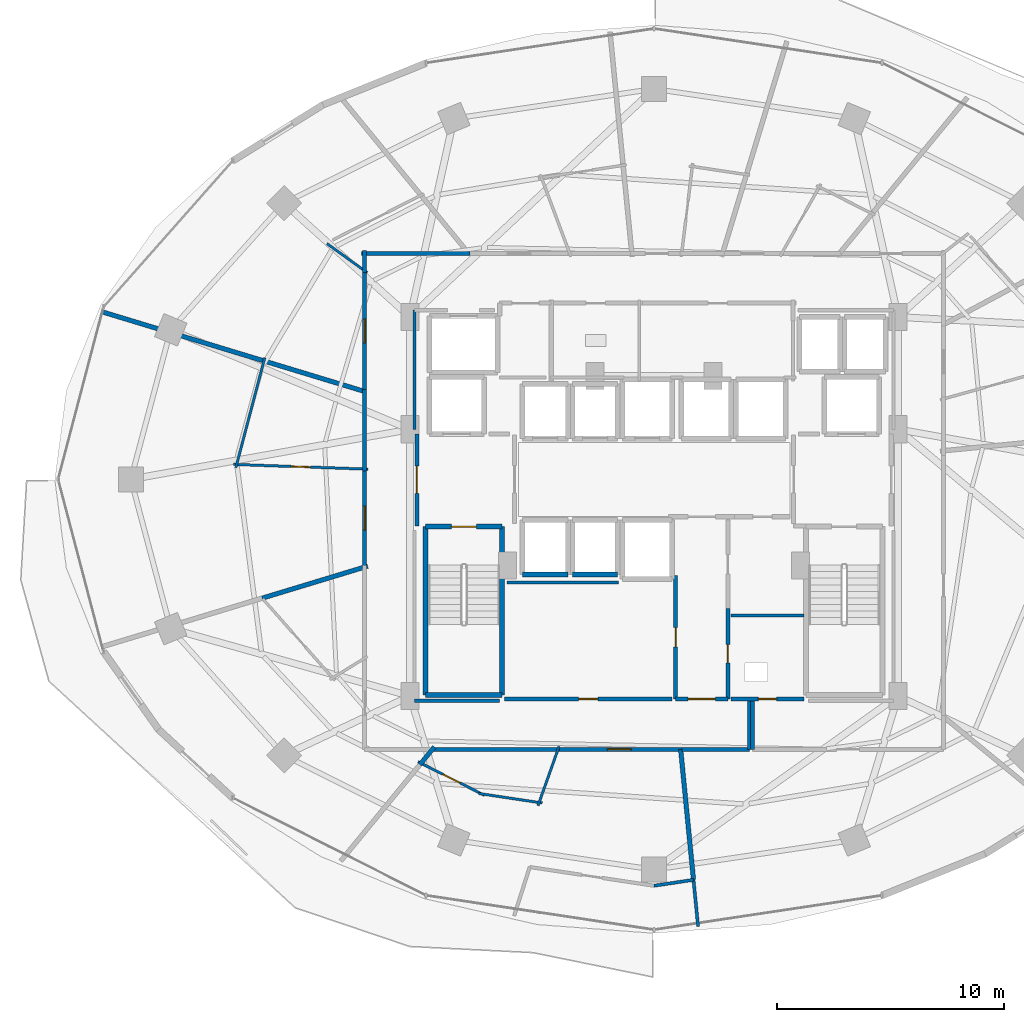
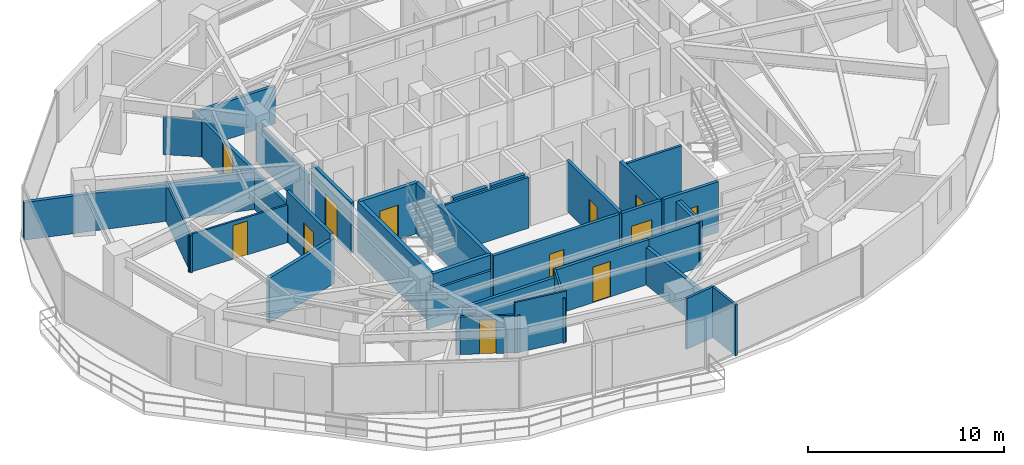
# One storey, part 22 of 29: 38 walls, 12 doors, 12 openings.
"""IFC4 building model written with IfcOpenShell, lengths in metres."""

from ifc_helpers import new_model, si_unit, direction, frame, frame_2d, origin, place, context, subcontext, project, spatial, rectangle, extrude, material, layer, layer_set, type_object, element, fill, save


model = new_model("IFC4")

# Units and contexts
model_context = context("Model", 3, precision=1e-05, world=origin(), true_north=direction((0.0, 1.0)))
body_context = subcontext(model_context, "Body", "Model", "MODEL_VIEW")
ifc_project = project(units=[si_unit("LENGTHUNIT", "METRE"), si_unit("AREAUNIT", "SQUARE_METRE"), si_unit("VOLUMEUNIT", "CUBIC_METRE"), si_unit("PLANEANGLEUNIT", "RADIAN"), si_unit("MASSUNIT", "GRAM", prefix="KILO")], contexts=[model_context])

# Site, building, storey
site_placement = place(None, origin())
site = spatial("IfcSite", under=ifc_project, at=site_placement, CompositionType="ELEMENT")
building_placement = place(site_placement, origin())
building = spatial("IfcBuilding", under=site, at=building_placement, Name="Vorneva Point Tower", CompositionType="ELEMENT")
storey_placement = place(building_placement, frame((0.0, 0.0, 120.800048828125)))
storey = spatial("IfcBuildingStorey", under=building, at=storey_placement, Name="L32", CompositionType="ELEMENT", Elevation=120.800048828125)

# Walls
ifc_material_1 = material(Name="Fire-rated acoustic gypsum stud partition", Category="gypsum")
ifc_layer_1 = layer(ifc_material_1, 0.110107421875)
ifc_layer_set_1 = layer_set([ifc_layer_1], Name="Fire-rated acoustic gypsum stud partition")
wall_type_1 = type_object("IfcWallType", Name="WL-PART-110", PredefinedType="PARTITIONING", material=ifc_layer_set_1)
wall_1_placement = place(storey_placement, frame((25.363525390625, 35.105224609375, 0.0), z_axis=(0.0, 0.0, 1.0), x_axis=(-0.811375655524, 0.584525059876, 0.0)))
element("IfcWall", 1, at=wall_1_placement, inside=storey, type_object=wall_type_1, Name="L32 Interior Partition 069", PredefinedType="PARTITIONING", context=body_context, shape_type="SweptSolid", body=[
    extrude(rectangle(XDim=2.18896484375, YDim=0.110107421875, at=frame_2d((1.094482421875, 0.0))), origin(), (0.0, 0.0, 1.0), 2.342041015625),
])
wall_2_placement = place(storey_placement, frame((19.575439453125, 26.5146484375, 0.0), z_axis=(0.0, 0.0, 1.0), x_axis=(0.254478876497, 0.967078332617, 0.0)))
element("IfcWall", 2, at=wall_2_placement, inside=storey, type_object=wall_type_1, Name="L32 Interior Partition 071", PredefinedType="PARTITIONING", context=body_context, shape_type="SweptSolid", body=[
    extrude(rectangle(XDim=4.999267578125, YDim=0.110107421875, at=frame_2d((2.49951171875, 0.0))), origin(), (0.0, 0.0, 1.0), 2.342041015625),
])

# Wall, opening, door
wall_3_placement = place(storey_placement, frame((25.389892578125, 26.446044921875, 0.0), z_axis=(0.0, 0.0, 1.0), x_axis=(-0.999378666741, 0.03524599926, 0.0)))
wall_3 = element("IfcWall", 3, at=wall_3_placement, inside=storey, type_object=wall_type_1, Name="L32 Interior Partition 072", PredefinedType="PARTITIONING", context=body_context, shape_type="SweptSolid", body=[
    extrude(rectangle(XDim=5.92236328125, YDim=0.110107421875, at=frame_2d((2.961181640625, 0.0))), origin(), (0.0, 0.0, 1.0), 2.342041015625),
])
opening_1_placement = place(wall_3_placement, frame((2.5361328125, 0.0, 0.0)))
opening_1 = element("IfcOpeningElement", 4, at=opening_1_placement, cuts=wall_3, Name="Opening ID-02", PredefinedType="OPENING", context=body_context, shape_type="SweptSolid", body=[
    extrude(rectangle(XDim=0.85009765625, YDim=2.10009765625, at=frame_2d((0.425048828125, 1.050048828125))), frame((0.0, 0.06982421875, 0.0), z_axis=(0.0, -1.0, 0.0), x_axis=(1.0, 0.0, 0.0)), (0.0, 0.0, 1.0), 0.139892578125),
])
ifc_material_2 = material(Name="Engineered oak fire-rated door leaf", Category="wood")
door_type_1 = type_object("IfcDoorType", Name="DR-BATH-850", OperationType="NOTDEFINED", PredefinedType="DOOR", material=ifc_material_2)
door_1_placement = place(opening_1_placement, origin())
door_1 = element("IfcDoor", 5, at=door_1_placement, inside=storey, type_object=door_type_1, Name="L32 Door Junior Suite L32-07 / En-Suite Bathroom L32-07", OperationType="SINGLE_SWING_LEFT", OverallHeight=2.10009765625, OverallWidth=0.85009765625, PredefinedType="DOOR", context=body_context, shape_type="SweptSolid", body=[
    extrude(rectangle(XDim=0.85009765625, YDim=2.10009765625, at=frame_2d((0.425048828125, 1.050048828125))), frame((0.0, 0.02490234375, 0.0), z_axis=(0.0, -1.0, 0.0), x_axis=(1.0, 0.0, 0.0)), (0.0, 0.0, 1.0), 0.050048828125),
])
fill(opening_1, door_1)

# Walls
wall_4_placement = place(storey_placement, frame((33.81494140625, 14.23193359375, 0.0), z_axis=(0.0, 0.0, 1.0), x_axis=(-0.334786713612, -0.942293933117, 0.0)))
element("IfcWall", 6, at=wall_4_placement, inside=storey, type_object=wall_type_1, Name="L32 Interior Partition 079", PredefinedType="PARTITIONING", context=body_context, shape_type="SweptSolid", body=[
    extrude(rectangle(XDim=2.765380859375, YDim=0.110107421875, at=frame_2d((1.3828125, 0.0))), origin(), (0.0, 0.0, 1.0), 2.783935546875),
])
wall_5_placement = place(storey_placement, frame((33.074462890625, 11.7373046875, 0.0), z_axis=(0.0, 0.0, 1.0), x_axis=(-0.988902866222, 0.148563525729, 0.0)))
element("IfcWall", 7, at=wall_5_placement, inside=storey, type_object=wall_type_1, Name="L32 Interior Partition 080", PredefinedType="PARTITIONING", context=body_context, shape_type="SweptSolid", body=[
    extrude(rectangle(XDim=2.83642578125, YDim=0.110107421875, at=frame_2d((1.418212890625, 0.0))), origin(), (0.0, 0.0, 1.0), 3.14990234375),
])

# Wall, opening, door
wall_6_placement = place(storey_placement, frame((30.532958984375, 12.07470703125, 0.0), z_axis=(0.0, 0.0, 1.0), x_axis=(-0.892451870397, 0.451142614952, 0.0)))
wall_6 = element("IfcWall", 8, at=wall_6_placement, inside=storey, type_object=wall_type_1, Name="L32 Interior Partition 081", PredefinedType="PARTITIONING", context=body_context, shape_type="SweptSolid", body=[
    extrude(rectangle(XDim=3.27734375, YDim=0.110107421875, at=frame_2d((1.638671875, 0.0))), origin(), (0.0, 0.0, 1.0), 2.342041015625),
])
opening_2_placement = place(wall_6_placement, frame((1.213623046875, 0.0, 0.0)))
opening_2 = element("IfcOpeningElement", 9, at=opening_2_placement, cuts=wall_6, Name="Opening ID-02", PredefinedType="OPENING", context=body_context, shape_type="SweptSolid", body=[
    extrude(rectangle(XDim=0.85009765625, YDim=2.10009765625, at=frame_2d((0.425048828125, 1.050048828125))), frame((0.0, 0.06982421875, 0.0), z_axis=(0.0, -1.0, 0.0), x_axis=(1.0, 0.0, 0.0)), (0.0, 0.0, 1.0), 0.139892578125),
])
door_2_placement = place(opening_2_placement, origin())
door_2 = element("IfcDoor", 10, at=door_2_placement, inside=storey, type_object=door_type_1, Name="L32 Door Corner Suite L32-09 / En-Suite Bathroom L32-09", OperationType="SINGLE_SWING_LEFT", OverallHeight=2.10009765625, OverallWidth=0.85009765625, PredefinedType="DOOR", context=body_context, shape_type="SweptSolid", body=[
    extrude(rectangle(XDim=0.85009765625, YDim=2.10009765625, at=frame_2d((0.425048828125, 1.050048828125))), frame((0.0, 0.02490234375, 0.0), z_axis=(0.0, -1.0, 0.0), x_axis=(1.0, 0.0, 0.0)), (0.0, 0.0, 1.0), 0.050048828125),
])
fill(opening_2, door_2)

# Walls
ifc_layer_2 = layer(ifc_material_1, 0.139892578125)
ifc_layer_set_2 = layer_set([ifc_layer_2], Name="Fire-rated acoustic gypsum stud partition")
wall_type_2 = type_object("IfcWallType", Name="WL-PART-140", PredefinedType="PARTITIONING", material=ifc_layer_set_2)
wall_7_placement = place(storey_placement, frame((44.60009765625, 20.0, 0.0), z_axis=(0.0, 0.0, 1.0), x_axis=(-1.0, 0.0, 0.0)))
element("IfcWall", 11, at=wall_7_placement, inside=storey, type_object=wall_type_2, Name="L32 Interior Partition 015", PredefinedType="PARTITIONING", context=body_context, shape_type="SweptSolid", body=[
    extrude(rectangle(XDim=3.2001953125, YDim=0.139892578125, at=frame_2d((1.60009765625, 0.0))), origin(), (0.0, 0.0, 1.0), 3.14990234375),
])
wall_8_placement = place(storey_placement, frame((38.0, 8.092041015625, 0.0), z_axis=(0.0, 0.0, 1.0), x_axis=(0.988912905534, 0.148496684368, 0.0)))
element("IfcWall", 12, at=wall_8_placement, inside=storey, type_object=wall_type_2, Name="L32 Interior Partition 084", PredefinedType="PARTITIONING", context=body_context, shape_type="SweptSolid", body=[
    extrude(rectangle(XDim=1.757568359375, YDim=0.139892578125, at=frame_2d((0.87890625, 0.0))), origin(), (0.0, 0.0, 1.0), 3.14990234375),
])
wall_9_placement = place(storey_placement, frame((39.738037109375, 8.35302734375, 0.0), z_axis=(0.0, 0.0, 1.0), x_axis=(0.098101024823, -0.995176461201, 0.0)))
element("IfcWall", 13, at=wall_9_placement, inside=storey, type_object=wall_type_2, Name="L32 Interior Partition 085", PredefinedType="PARTITIONING", context=body_context, shape_type="SweptSolid", body=[
    extrude(rectangle(XDim=2.068115234375, YDim=0.139892578125, at=frame_2d((1.0341796875, 0.0))), origin(), (0.0, 0.0, 1.0), 3.14990234375),
])
wall_10_placement = place(storey_placement, frame((36.43896484375, 21.449951171875, 0.0), z_axis=(0.0, 0.0, 1.0), x_axis=(-1.0, 0.0, 0.0)))
element("IfcWall", 14, at=wall_10_placement, inside=storey, type_object=wall_type_2, Name="L32 Interior Closure Partition 095", PredefinedType="PARTITIONING", context=body_context, shape_type="SweptSolid", body=[
    extrude(rectangle(XDim=4.908935546875, YDim=0.139892578125, at=frame_2d((2.45458984375, 0.0))), origin(), (0.0, 0.0, 1.0), 3.14990234375),
])
wall_11_placement = place(storey_placement, frame((31.195068359375, 16.239990234375, 0.0), z_axis=(0.0, 0.0, 1.0), x_axis=(-1.0, 0.0, 0.0)))
element("IfcWall", 15, at=wall_11_placement, inside=storey, type_object=wall_type_2, Name="L32 Interior Closure Partition 100", PredefinedType="PARTITIONING", context=body_context, shape_type="SweptSolid", body=[
    extrude(rectangle(XDim=3.7451171875, YDim=0.139892578125, at=frame_2d((1.87255859375, 0.0))), origin(), (0.0, 0.0, 1.0), 2.342041015625),
])
wall_12_placement = place(storey_placement, frame((27.449951171875, 28.196044921875, 0.0), z_axis=(0.0, 0.0, 1.0), x_axis=(0.0, 1.0, 0.0)))
element("IfcWall", 16, at=wall_12_placement, inside=storey, type_object=wall_type_2, Name="L32 Interior Closure Partition 102", PredefinedType="PARTITIONING", context=body_context, shape_type="SweptSolid", body=[
    extrude(rectangle(XDim=5.25390625, YDim=0.139892578125, at=frame_2d((2.626953125, 0.0))), origin(), (0.0, 0.0, 1.0), 2.342041015625),
])

# Wall, opening, door
ifc_material_3 = material(Name="Autoclaved aerated concrete blockwork", Category="masonry")
ifc_layer_3 = layer(ifc_material_3, 0.179931640625)
ifc_layer_set_3 = layer_set([ifc_layer_3], Name="Autoclaved aerated concrete blockwork")
wall_type_3 = type_object("IfcWallType", Name="WL-PART-180", PredefinedType="PARTITIONING", material=ifc_layer_set_3)
wall_13_placement = place(storey_placement, frame((27.550048828125, 28.0, 0.0), z_axis=(0.0, 0.0, 1.0), x_axis=(0.0, -1.0, 0.0)))
wall_13 = element("IfcWall", 17, at=wall_13_placement, inside=storey, type_object=wall_type_3, Name="L32 Interior Partition 002", PredefinedType="PARTITIONING", context=body_context, shape_type="SweptSolid", body=[
    extrude(rectangle(XDim=4.050048828125, YDim=0.179931640625, at=frame_2d((2.02490234375, 0.0))), origin(), (0.0, 0.0, 1.0), 3.14990234375),
])
opening_3_placement = place(wall_13_placement, frame((1.425048828125, 0.0, 0.0)))
opening_3 = element("IfcOpeningElement", 18, at=opening_3_placement, cuts=wall_13, Name="Opening FD-02", PredefinedType="OPENING", context=body_context, shape_type="SweptSolid", body=[
    extrude(rectangle(XDim=1.199951171875, YDim=2.14990234375, at=frame_2d((0.60009765625, 1.074951171875))), frame((0.0, 0.10498046875, 0.0), z_axis=(0.0, -1.0, 0.0), x_axis=(1.0, 0.0, 0.0)), (0.0, 0.0, 1.0), 0.209716796875),
])
ifc_material_4 = material(Name="Fire-rated powder-coated steel", Category="steel")
door_type_2 = type_object("IfcDoorType", Name="DR-FFL-1200", OperationType="NOTDEFINED", PredefinedType="DOOR", material=ifc_material_4)
door_3_placement = place(opening_3_placement, origin())
door_3 = element("IfcDoor", 19, at=door_3_placement, inside=storey, type_object=door_type_2, Name="L32 Door West Firefighting Lobby / L32 Circulation Corridor", OperationType="SINGLE_SWING_RIGHT", OverallHeight=2.14990234375, OverallWidth=1.199951171875, PredefinedType="DOOR", context=body_context, shape_type="SweptSolid", body=[
    extrude(rectangle(XDim=1.199951171875, YDim=2.14990234375, at=frame_2d((0.60009765625, 1.074951171875))), frame((0.0, 0.02490234375, 0.0), z_axis=(0.0, -1.0, 0.0), x_axis=(1.0, 0.0, 0.0)), (0.0, 0.0, 1.0), 0.050048828125),
])
fill(opening_3, door_3)

wall_14_placement = place(storey_placement, frame((41.25, 16.320068359375, 0.0), z_axis=(0.0, 0.0, 1.0), x_axis=(0.0, 1.0, 0.0)))
wall_14 = element("IfcWall", 20, at=wall_14_placement, inside=storey, type_object=wall_type_3, Name="L32 Interior Partition 011", PredefinedType="PARTITIONING", context=body_context, shape_type="SweptSolid", body=[
    extrude(rectangle(XDim=3.98486328125, YDim=0.179931640625, at=frame_2d((1.992431640625, 0.0))), origin(), (0.0, 0.0, 1.0), 3.14990234375),
])
opening_4_placement = place(wall_14_placement, frame((1.592529296875, 0.0, 0.0)))
opening_4 = element("IfcOpeningElement", 21, at=opening_4_placement, cuts=wall_14, Name="Opening RD-01", PredefinedType="OPENING", context=body_context, shape_type="SweptSolid", body=[
    extrude(rectangle(XDim=0.800048828125, YDim=2.050048828125, at=frame_2d((0.39990234375, 1.02490234375))), frame((0.0, 0.10498046875, 0.0), z_axis=(0.0, -1.0, 0.0), x_axis=(1.0, 0.0, 0.0)), (0.0, 0.0, 1.0), 0.209716796875),
])
door_type_3 = type_object("IfcDoorType", Name="DR-RSR-800", OperationType="SINGLE_SWING_LEFT", PredefinedType="DOOR", material=ifc_material_4)
door_4_placement = place(opening_4_placement, origin())
door_4 = element("IfcDoor", 22, at=door_4_placement, inside=storey, type_object=door_type_3, Name="L32 Door Core Service Lobby / Electrical Riser", OperationType="SINGLE_SWING_RIGHT", OverallHeight=2.050048828125, OverallWidth=0.800048828125, PredefinedType="DOOR", context=body_context, shape_type="SweptSolid", body=[
    extrude(rectangle(XDim=0.800048828125, YDim=2.050048828125, at=frame_2d((0.39990234375, 1.02490234375))), frame((0.0, 0.02490234375, 0.0), z_axis=(0.0, -1.0, 0.0), x_axis=(1.0, 0.0, 0.0)), (0.0, 0.0, 1.0), 0.050048828125),
])
fill(opening_4, door_4)

wall_15_placement = place(storey_placement, frame((38.949951171875, 21.7548828125, 0.0), z_axis=(0.0, 0.0, 1.0), x_axis=(0.0, -1.0, 0.0)))
wall_15 = element("IfcWall", 23, at=wall_15_placement, inside=storey, type_object=wall_type_3, Name="L32 Interior Partition 013", PredefinedType="PARTITIONING", context=body_context, shape_type="SweptSolid", body=[
    extrude(rectangle(XDim=5.434814453125, YDim=0.179931640625, at=frame_2d((2.71728515625, 0.0))), origin(), (0.0, 0.0, 1.0), 3.14990234375),
])
opening_5_placement = place(wall_15_placement, frame((2.29248046875, 0.0, 0.0)))
opening_5 = element("IfcOpeningElement", 24, at=opening_5_placement, cuts=wall_15, Name="Opening ID-02", PredefinedType="OPENING", context=body_context, shape_type="SweptSolid", body=[
    extrude(rectangle(XDim=0.85009765625, YDim=2.10009765625, at=frame_2d((0.425048828125, 1.050048828125))), frame((0.0, 0.10498046875, 0.0), z_axis=(0.0, -1.0, 0.0), x_axis=(1.0, 0.0, 0.0)), (0.0, 0.0, 1.0), 0.209716796875),
])
door_5_placement = place(opening_5_placement, origin())
door_5 = element("IfcDoor", 25, at=door_5_placement, inside=storey, type_object=door_type_1, Name="L32 Door Core Service Lobby / Housekeeping and Linen Room", OperationType="SINGLE_SWING_RIGHT", OverallHeight=2.10009765625, OverallWidth=0.85009765625, PredefinedType="DOOR", context=body_context, shape_type="SweptSolid", body=[
    extrude(rectangle(XDim=0.85009765625, YDim=2.10009765625, at=frame_2d((0.425048828125, 1.050048828125))), frame((0.0, 0.02490234375, 0.0), z_axis=(0.0, -1.0, 0.0), x_axis=(1.0, 0.0, 0.0)), (0.0, 0.0, 1.0), 0.050048828125),
])
fill(opening_5, door_5)

wall_16_placement = place(storey_placement, frame((38.949951171875, 16.320068359375, 0.0), z_axis=(0.0, 0.0, 1.0), x_axis=(1.0, 0.0, 0.0)))
wall_16 = element("IfcWall", 26, at=wall_16_placement, inside=storey, type_object=wall_type_3, Name="L32 Interior Partition 014", PredefinedType="PARTITIONING", context=body_context, shape_type="SweptSolid", body=[
    extrude(rectangle(XDim=2.300048828125, YDim=0.179931640625, at=frame_2d((1.14990234375, 0.0))), origin(), (0.0, 0.0, 1.0), 3.14990234375),
])
opening_6_placement = place(wall_16_placement, frame((0.550048828125, 0.0, 0.0)))
opening_6 = element("IfcOpeningElement", 27, at=opening_6_placement, cuts=wall_16, Name="Opening FD-02", PredefinedType="OPENING", context=body_context, shape_type="SweptSolid", body=[
    extrude(rectangle(XDim=1.199951171875, YDim=2.14990234375, at=frame_2d((0.60009765625, 1.074951171875))), frame((0.0, 0.10498046875, 0.0), z_axis=(0.0, -1.0, 0.0), x_axis=(1.0, 0.0, 0.0)), (0.0, 0.0, 1.0), 0.209716796875),
])
door_6_placement = place(opening_6_placement, origin())
door_6 = element("IfcDoor", 28, at=door_6_placement, inside=storey, type_object=door_type_2, Name="L32 Door Core Service Lobby / L32 Circulation Corridor", OperationType="SINGLE_SWING_LEFT", OverallHeight=2.14990234375, OverallWidth=1.199951171875, PredefinedType="DOOR", context=body_context, shape_type="SweptSolid", body=[
    extrude(rectangle(XDim=1.199951171875, YDim=2.14990234375, at=frame_2d((0.60009765625, 1.074951171875))), frame((0.0, 0.02490234375, 0.0), z_axis=(0.0, -1.0, 0.0), x_axis=(1.0, 0.0, 0.0)), (0.0, 0.0, 1.0), 0.050048828125),
])
fill(opening_6, door_6)

wall_17_placement = place(storey_placement, frame((41.39990234375, 16.320068359375, 0.0), z_axis=(0.0, 0.0, 1.0), x_axis=(1.0, 0.0, 0.0)))
wall_17 = element("IfcWall", 29, at=wall_17_placement, inside=storey, type_object=wall_type_3, Name="L32 Interior Partition 016", PredefinedType="PARTITIONING", context=body_context, shape_type="SweptSolid", body=[
    extrude(rectangle(XDim=3.2001953125, YDim=0.179931640625, at=frame_2d((1.60009765625, 0.0))), origin(), (0.0, 0.0, 1.0), 3.14990234375),
])
opening_7_placement = place(wall_17_placement, frame((1.199951171875, 0.0, 0.0)))
opening_7 = element("IfcOpeningElement", 30, at=opening_7_placement, cuts=wall_17, Name="Opening RD-01", PredefinedType="OPENING", context=body_context, shape_type="SweptSolid", body=[
    extrude(rectangle(XDim=0.800048828125, YDim=2.050048828125, at=frame_2d((0.39990234375, 1.02490234375))), frame((0.0, 0.10498046875, 0.0), z_axis=(0.0, -1.0, 0.0), x_axis=(1.0, 0.0, 0.0)), (0.0, 0.0, 1.0), 0.209716796875),
])
door_7_placement = place(opening_7_placement, origin())
door_7 = element("IfcDoor", 31, at=door_7_placement, inside=storey, type_object=door_type_3, Name="L32 Door Electrical Riser / L32 Circulation Corridor", OperationType="SINGLE_SWING_RIGHT", OverallHeight=2.050048828125, OverallWidth=0.800048828125, PredefinedType="DOOR", context=body_context, shape_type="SweptSolid", body=[
    extrude(rectangle(XDim=0.800048828125, YDim=2.050048828125, at=frame_2d((0.39990234375, 1.02490234375))), frame((0.0, 0.02490234375, 0.0), z_axis=(0.0, -1.0, 0.0), x_axis=(1.0, 0.0, 0.0)), (0.0, 0.0, 1.0), 0.050048828125),
])
fill(opening_7, door_7)

wall_18_placement = place(storey_placement, frame((31.39990234375, 16.320068359375, 0.0), z_axis=(0.0, 0.0, 1.0), x_axis=(1.0, 0.0, 0.0)))
wall_18 = element("IfcWall", 32, at=wall_18_placement, inside=storey, type_object=wall_type_3, Name="L32 Interior Partition 021", PredefinedType="PARTITIONING", context=body_context, shape_type="SweptSolid", body=[
    extrude(rectangle(XDim=7.400146484375, YDim=0.179931640625, at=frame_2d((3.7001953125, 0.0))), origin(), (0.0, 0.0, 1.0), 3.14990234375),
])
opening_8_placement = place(wall_18_placement, frame((3.27490234375, 0.0, 0.0)))
opening_8 = element("IfcOpeningElement", 33, at=opening_8_placement, cuts=wall_18, Name="Opening ID-02", PredefinedType="OPENING", context=body_context, shape_type="SweptSolid", body=[
    extrude(rectangle(XDim=0.85009765625, YDim=2.10009765625, at=frame_2d((0.425048828125, 1.050048828125))), frame((0.0, 0.10498046875, 0.0), z_axis=(0.0, -1.0, 0.0), x_axis=(1.0, 0.0, 0.0)), (0.0, 0.0, 1.0), 0.209716796875),
])
door_8_placement = place(opening_8_placement, origin())
door_8 = element("IfcDoor", 34, at=door_8_placement, inside=storey, type_object=door_type_1, Name="L32 Door Housekeeping and Linen Room / L32 Circulation Corridor", OperationType="SINGLE_SWING_LEFT", OverallHeight=2.10009765625, OverallWidth=0.85009765625, PredefinedType="DOOR", context=body_context, shape_type="SweptSolid", body=[
    extrude(rectangle(XDim=0.85009765625, YDim=2.10009765625, at=frame_2d((0.425048828125, 1.050048828125))), frame((0.0, 0.02490234375, 0.0), z_axis=(0.0, -1.0, 0.0), x_axis=(1.0, 0.0, 0.0)), (0.0, 0.0, 1.0), 0.050048828125),
])
fill(opening_8, door_8)

wall_19_placement = place(storey_placement, frame((25.25, 35.260986328125, 0.0), z_axis=(0.0, 0.0, 1.0), x_axis=(0.0, -1.0, 0.0)))
wall_19 = element("IfcWall", 35, at=wall_19_placement, inside=storey, type_object=wall_type_3, Name="L32 Interior Partition 032", PredefinedType="PARTITIONING", context=body_context, shape_type="SweptSolid", body=[
    extrude(rectangle(XDim=5.452880859375, YDim=0.179931640625, at=frame_2d((2.7265625, 0.0))), origin(), (0.0, 0.0, 1.0), 2.342041015625),
])
opening_9_placement = place(wall_19_placement, frame((2.201416015625, 0.0, 0.0)))
opening_9 = element("IfcOpeningElement", 36, at=opening_9_placement, cuts=wall_19, Name="Opening UD-02", PredefinedType="OPENING", context=body_context, shape_type="SweptSolid", body=[
    extrude(rectangle(XDim=1.050048828125, YDim=2.199951171875, at=frame_2d((0.52490234375, 1.10009765625))), frame((0.0, 0.10498046875, 0.0), z_axis=(0.0, -1.0, 0.0), x_axis=(1.0, 0.0, 0.0)), (0.0, 0.0, 1.0), 0.209716796875),
])
door_type_4 = type_object("IfcDoorType", Name="DR-SUITE-1050", OperationType="NOTDEFINED", PredefinedType="DOOR", material=ifc_material_2)
door_9_placement = place(opening_9_placement, origin())
door_9 = element("IfcDoor", 37, at=door_9_placement, inside=storey, type_object=door_type_4, Name="L32 Door L32 Circulation Corridor / Corner Suite L32-06", OperationType="SINGLE_SWING_LEFT", OverallHeight=2.199951171875, OverallWidth=1.050048828125, PredefinedType="DOOR", context=body_context, shape_type="SweptSolid", body=[
    extrude(rectangle(XDim=1.050048828125, YDim=2.199951171875, at=frame_2d((0.52490234375, 1.10009765625))), frame((0.0, 0.02490234375, 0.0), z_axis=(0.0, -1.0, 0.0), x_axis=(1.0, 0.0, 0.0)), (0.0, 0.0, 1.0), 0.050048828125),
])
fill(opening_9, door_9)

# Walls
wall_20_placement = place(storey_placement, frame((29.89599609375, 35.949951171875, 0.0), z_axis=(0.0, 0.0, 1.0), x_axis=(-1.0, 0.0, 0.0)))
element("IfcWall", 38, at=wall_20_placement, inside=storey, type_object=wall_type_3, Name="L32 Interior Partition 033", PredefinedType="PARTITIONING", context=body_context, shape_type="SweptSolid", body=[
    extrude(rectangle(XDim=4.785888671875, YDim=0.179931640625, at=frame_2d((2.39306640625, 0.0))), origin(), (0.0, 0.0, 1.0), 2.342041015625),
])
wall_21_placement = place(storey_placement, frame((25.25, 36.090087890625, 0.0), z_axis=(0.0, 0.0, 1.0), x_axis=(0.0, -1.0, 0.0)))
element("IfcWall", 39, at=wall_21_placement, inside=storey, type_object=wall_type_3, Name="L32 Interior Partition 034", PredefinedType="PARTITIONING", context=body_context, shape_type="SweptSolid", body=[
    extrude(rectangle(XDim=0.968994140625, YDim=0.179931640625, at=frame_2d((0.484375, 0.0))), origin(), (0.0, 0.0, 1.0), 2.342041015625),
])

# Wall, opening, door
wall_22_placement = place(storey_placement, frame((25.25, 26.510986328125, 0.0), z_axis=(0.0, 0.0, 1.0), x_axis=(0.0, -1.0, 0.0)))
wall_22 = element("IfcWall", 40, at=wall_22_placement, inside=storey, type_object=wall_type_3, Name="L32 Interior Partition 035", PredefinedType="PARTITIONING", context=body_context, shape_type="SweptSolid", body=[
    extrude(rectangle(XDim=4.44189453125, YDim=0.179931640625, at=frame_2d((2.220947265625, 0.0))), origin(), (0.0, 0.0, 1.0), 3.14990234375),
])
opening_10_placement = place(wall_22_placement, frame((1.696044921875, 0.0, 0.0)))
opening_10 = element("IfcOpeningElement", 41, at=opening_10_placement, cuts=wall_22, Name="Opening UD-02", PredefinedType="OPENING", context=body_context, shape_type="SweptSolid", body=[
    extrude(rectangle(XDim=1.050048828125, YDim=2.199951171875, at=frame_2d((0.52490234375, 1.10009765625))), frame((0.0, 0.10498046875, 0.0), z_axis=(0.0, -1.0, 0.0), x_axis=(1.0, 0.0, 0.0)), (0.0, 0.0, 1.0), 0.209716796875),
])
door_10_placement = place(opening_10_placement, origin())
door_10 = element("IfcDoor", 42, at=door_10_placement, inside=storey, type_object=door_type_4, Name="L32 Door L32 Circulation Corridor / Junior Suite L32-07", OperationType="SINGLE_SWING_RIGHT", OverallHeight=2.199951171875, OverallWidth=1.050048828125, PredefinedType="DOOR", context=body_context, shape_type="SweptSolid", body=[
    extrude(rectangle(XDim=1.050048828125, YDim=2.199951171875, at=frame_2d((0.52490234375, 1.10009765625))), frame((0.0, 0.02490234375, 0.0), z_axis=(0.0, -1.0, 0.0), x_axis=(1.0, 0.0, 0.0)), (0.0, 0.0, 1.0), 0.050048828125),
])
fill(opening_10, door_10)

# Wall
wall_23_placement = place(storey_placement, frame((25.25, 29.947998046875, 0.0), z_axis=(0.0, 0.0, 1.0), x_axis=(0.0, -1.0, 0.0)))
element("IfcWall", 43, at=wall_23_placement, inside=storey, type_object=wall_type_3, Name="L32 Interior Partition 036", PredefinedType="PARTITIONING", context=body_context, shape_type="SweptSolid", body=[
    extrude(rectangle(XDim=3.576904296875, YDim=0.179931640625, at=frame_2d((1.78857421875, 0.0))), origin(), (0.0, 0.0, 1.0), 2.342041015625),
])

# Wall, opening, door
wall_24_placement = place(storey_placement, frame((33.7041015625, 14.10009765625, 0.0), z_axis=(0.0, 0.0, 1.0), x_axis=(1.0, 0.0, 0.0)))
wall_24 = element("IfcWall", 44, at=wall_24_placement, inside=storey, type_object=wall_type_3, Name="L32 Interior Partition 040", PredefinedType="PARTITIONING", context=body_context, shape_type="SweptSolid", body=[
    extrude(rectangle(XDim=5.52783203125, YDim=0.179931640625, at=frame_2d((2.763916015625, 0.0))), origin(), (0.0, 0.0, 1.0), 2.783935546875),
])
opening_11_placement = place(wall_24_placement, frame((2.239013671875, 0.0, 0.0)))
opening_11 = element("IfcOpeningElement", 45, at=opening_11_placement, cuts=wall_24, Name="Opening UD-02", PredefinedType="OPENING", context=body_context, shape_type="SweptSolid", body=[
    extrude(rectangle(XDim=1.050048828125, YDim=2.199951171875, at=frame_2d((0.52490234375, 1.10009765625))), frame((0.0, 0.10498046875, 0.0), z_axis=(0.0, -1.0, 0.0), x_axis=(1.0, 0.0, 0.0)), (0.0, 0.0, 1.0), 0.209716796875),
])
door_11_placement = place(opening_11_placement, origin())
door_11 = element("IfcDoor", 46, at=door_11_placement, inside=storey, type_object=door_type_4, Name="L32 Door L32 Circulation Corridor / Corner Suite L32-09", OperationType="SINGLE_SWING_RIGHT", OverallHeight=2.199951171875, OverallWidth=1.050048828125, PredefinedType="DOOR", context=body_context, shape_type="SweptSolid", body=[
    extrude(rectangle(XDim=1.050048828125, YDim=2.199951171875, at=frame_2d((0.52490234375, 1.10009765625))), frame((0.0, 0.02490234375, 0.0), z_axis=(0.0, -1.0, 0.0), x_axis=(1.0, 0.0, 0.0)), (0.0, 0.0, 1.0), 0.050048828125),
])
fill(opening_11, door_11)

# Walls
wall_25_placement = place(storey_placement, frame((28.154052734375, 14.10009765625, 0.0), z_axis=(0.0, 0.0, 1.0), x_axis=(1.0, 0.0, 0.0)))
element("IfcWall", 47, at=wall_25_placement, inside=storey, type_object=wall_type_3, Name="L32 Interior Partition 041", PredefinedType="PARTITIONING", context=body_context, shape_type="SweptSolid", body=[
    extrude(rectangle(XDim=5.68994140625, YDim=0.179931640625, at=frame_2d((2.844970703125, 0.0))), origin(), (0.0, 0.0, 1.0), 2.342041015625),
])
wall_26_placement = place(storey_placement, frame((42.340087890625, 16.239990234375, 0.0), z_axis=(0.0, 0.0, 1.0), x_axis=(0.0, -1.0, 0.0)))
element("IfcWall", 48, at=wall_26_placement, inside=storey, type_object=wall_type_3, Name="L32 Interior Partition 042", PredefinedType="PARTITIONING", context=body_context, shape_type="SweptSolid", body=[
    extrude(rectangle(XDim=2.139892578125, YDim=0.179931640625, at=frame_2d((1.06982421875, 0.0))), origin(), (0.0, 0.0, 1.0), 2.783935546875),
])
wall_27_placement = place(storey_placement, frame((39.23193359375, 14.10009765625, 0.0), z_axis=(0.0, 0.0, 1.0), x_axis=(1.0, 0.0, 0.0)))
element("IfcWall", 49, at=wall_27_placement, inside=storey, type_object=wall_type_3, Name="L32 Interior Partition 045", PredefinedType="PARTITIONING", context=body_context, shape_type="SweptSolid", body=[
    extrude(rectangle(XDim=2.968017578125, YDim=0.179931640625, at=frame_2d((1.48388671875, 0.0))), origin(), (0.0, 0.0, 1.0), 2.783935546875),
])
wall_28_placement = place(storey_placement, frame((42.199951171875, 14.10009765625, 0.0), z_axis=(0.0, 0.0, 1.0), x_axis=(0.0, 1.0, 0.0)))
element("IfcWall", 50, at=wall_28_placement, inside=storey, type_object=wall_type_3, Name="L32 Interior Partition 046", PredefinedType="PARTITIONING", context=body_context, shape_type="SweptSolid", body=[
    extrude(rectangle(XDim=2.139892578125, YDim=0.179931640625, at=frame_2d((1.06982421875, 0.0))), origin(), (0.0, 0.0, 1.0), 2.783935546875),
])
ifc_layer_4 = layer(ifc_material_3, 0.199951171875)
ifc_layer_set_4 = layer_set([ifc_layer_4], Name="Autoclaved aerated concrete blockwork")
wall_type_4 = type_object("IfcWallType", Name="WL-PART-200", PredefinedType="PARTITIONING", material=ifc_layer_set_4)
wall_29_placement = place(storey_placement, frame((13.6630859375, 33.383056640625, 0.0), z_axis=(0.0, 0.0, 1.0), x_axis=(0.956933802543, -0.290306213422, 0.0)))
element("IfcWall", 51, at=wall_29_placement, inside=storey, type_object=wall_type_4, Name="L32 Interior Partition 070", PredefinedType="PARTITIONING", context=body_context, shape_type="SweptSolid", body=[
    extrude(rectangle(XDim=12.1083984375, YDim=0.199951171875, at=frame_2d((6.05419921875, 0.0))), origin(), (0.0, 0.0, 1.0), 2.342041015625),
])
wall_30_placement = place(storey_placement, frame((20.735107421875, 20.761962890625, 0.0), z_axis=(0.0, 0.0, 1.0), x_axis=(0.956916986017, 0.290361639807, 0.0)))
element("IfcWall", 52, at=wall_30_placement, inside=storey, type_object=wall_type_4, Name="L32 Interior Partition 074", PredefinedType="PARTITIONING", context=body_context, shape_type="SweptSolid", body=[
    extrude(rectangle(XDim=4.858154296875, YDim=0.199951171875, at=frame_2d((2.42919921875, 0.0))), origin(), (0.0, 0.0, 1.0), 2.783935546875),
])
wall_31_placement = place(storey_placement, frame((27.683349609375, 13.4287109375, 0.0), z_axis=(0.0, 0.0, 1.0), x_axis=(0.634186727441, 0.77317992391, 0.0)))
element("IfcWall", 53, at=wall_31_placement, inside=storey, type_object=wall_type_4, Name="L32 Interior Partition 078", PredefinedType="PARTITIONING", context=body_context, shape_type="SweptSolid", body=[
    extrude(rectangle(XDim=1.00830078125, YDim=0.199951171875, at=frame_2d((0.504150390625, 0.0))), origin(), (0.0, 0.0, 1.0), 2.342041015625),
])
wall_32_placement = place(storey_placement, frame((39.73828125, 8.35302734375, 0.0), z_axis=(0.0, 0.0, 1.0), x_axis=(-0.098038593066, 0.995182613529, 0.0)))
element("IfcWall", 54, at=wall_32_placement, inside=storey, type_object=wall_type_4, Name="L32 Interior Partition 086", PredefinedType="PARTITIONING", context=body_context, shape_type="SweptSolid", body=[
    extrude(rectangle(XDim=5.77490234375, YDim=0.199951171875, at=frame_2d((2.887451171875, 0.0))), origin(), (0.0, 0.0, 1.0), 2.342041015625),
])

# Wall, opening, door
ifc_material_5 = material(Name="Concrete B50 (C40/50)", Category="concrete")
ifc_layer_5 = layer(ifc_material_5, 0.219970703125)
ifc_layer_set_5 = layer_set([ifc_layer_5], Name="Concrete B50 (C40/50)")
wall_type_5 = type_object("IfcWallType", Name="WL-SHFT-220", PredefinedType="SOLIDWALL", material=ifc_layer_set_5)
wall_33_placement = place(storey_placement, frame((27.93994140625, 23.909912109375, 0.0), z_axis=(0.0, 0.0, 1.0), x_axis=(1.0, 0.0, 0.0)))
wall_33 = element("IfcWall", 55, at=wall_33_placement, inside=storey, type_object=wall_type_5, Name="L32 Exit Stair ST1 Shaft Wall near", PredefinedType="SOLIDWALL", context=body_context, shape_type="SweptSolid", body=[
    extrude(rectangle(XDim=3.3701171875, YDim=0.219970703125, at=frame_2d((1.68505859375, 0.0))), origin(), (0.0, 0.0, 1.0), 3.14990234375),
])
opening_12_placement = place(wall_33_placement, frame((1.135009765625, 0.0, 0.0)))
opening_12 = element("IfcOpeningElement", 56, at=opening_12_placement, cuts=wall_33, Name="Opening FD-01", PredefinedType="OPENING", context=body_context, shape_type="SweptSolid", body=[
    extrude(rectangle(XDim=1.10009765625, YDim=2.14990234375, at=frame_2d((0.550048828125, 1.074951171875))), frame((0.0, 0.125, 0.0), z_axis=(0.0, -1.0, 0.0), x_axis=(1.0, 0.0, 0.0)), (0.0, 0.0, 1.0), 0.249755859375),
])
door_type_5 = type_object("IfcDoorType", Name="DR-STAIR-1100", OperationType="NOTDEFINED", PredefinedType="DOOR", material=ifc_material_4)
door_12_placement = place(opening_12_placement, origin())
door_12 = element("IfcDoor", 57, at=door_12_placement, inside=storey, type_object=door_type_5, Name="L32 Exit Stair ST1 Fire Door", OperationType="SINGLE_SWING_RIGHT", OverallHeight=2.14990234375, OverallWidth=1.10009765625, PredefinedType="DOOR", context=body_context, shape_type="SweptSolid", body=[
    extrude(rectangle(XDim=1.10009765625, YDim=2.14990234375, at=frame_2d((0.550048828125, 1.074951171875))), frame((0.0, 0.02490234375, 0.0), z_axis=(0.0, -1.0, 0.0), x_axis=(1.0, 0.0, 0.0)), (0.0, 0.0, 1.0), 0.050048828125),
])
fill(opening_12, door_12)

# Walls
wall_34_placement = place(storey_placement, frame((31.31005859375, 23.909912109375, 0.0), z_axis=(0.0, 0.0, 1.0), x_axis=(0.0, -1.0, 0.0)))
element("IfcWall", 58, at=wall_34_placement, inside=storey, type_object=wall_type_5, Name="L32 Exit Stair ST1 Shaft Wall right", PredefinedType="SOLIDWALL", context=body_context, shape_type="SweptSolid", body=[
    extrude(rectangle(XDim=7.419921875, YDim=0.219970703125, at=frame_2d((3.7099609375, 0.0))), origin(), (0.0, 0.0, 1.0), 3.14990234375),
])
wall_35_placement = place(storey_placement, frame((31.31005859375, 16.489990234375, 0.0), z_axis=(0.0, 0.0, 1.0), x_axis=(-1.0, 0.0, 0.0)))
element("IfcWall", 59, at=wall_35_placement, inside=storey, type_object=wall_type_5, Name="L32 Exit Stair ST1 Shaft Wall far", PredefinedType="SOLIDWALL", context=body_context, shape_type="SweptSolid", body=[
    extrude(rectangle(XDim=3.3701171875, YDim=0.219970703125, at=frame_2d((1.68505859375, 0.0))), origin(), (0.0, 0.0, 1.0), 3.14990234375),
])
wall_36_placement = place(storey_placement, frame((27.93994140625, 16.489990234375, 0.0), z_axis=(0.0, 0.0, 1.0), x_axis=(0.0, 1.0, 0.0)))
element("IfcWall", 60, at=wall_36_placement, inside=storey, type_object=wall_type_5, Name="L32 Exit Stair ST1 Shaft Wall left", PredefinedType="SOLIDWALL", context=body_context, shape_type="SweptSolid", body=[
    extrude(rectangle(XDim=7.419921875, YDim=0.219970703125, at=frame_2d((3.7099609375, 0.0))), origin(), (0.0, 0.0, 1.0), 3.14990234375),
])
for number, where, z_axis, x_axis, name in (
    (61, (32.199951171875, 21.800048828125, 0.0), (0.0, 0.0, 1.0), (1.0, 0.0, 0.0), "L32 Lift PL4 Shaft Wall -Y"),
    (62, (34.39990234375, 21.800048828125, 0.0), (0.0, 0.0, 1.0), (1.0, 0.0, 0.0), "L32 Lift PL5 Shaft Wall -Y"),
):
    element("IfcWall", number, at=place(storey_placement, frame(where, z_axis=z_axis, x_axis=x_axis)), inside=storey, type_object=wall_type_5, Name=name, PredefinedType="SOLIDWALL", context=body_context, shape_type="SweptSolid", body=[
        extrude(rectangle(XDim=2.0, YDim=0.219970703125, at=frame_2d((1.0, 0.0))), origin(), (0.0, 0.0, 1.0), 3.14990234375),
    ])

save(model, "model.ifc")
